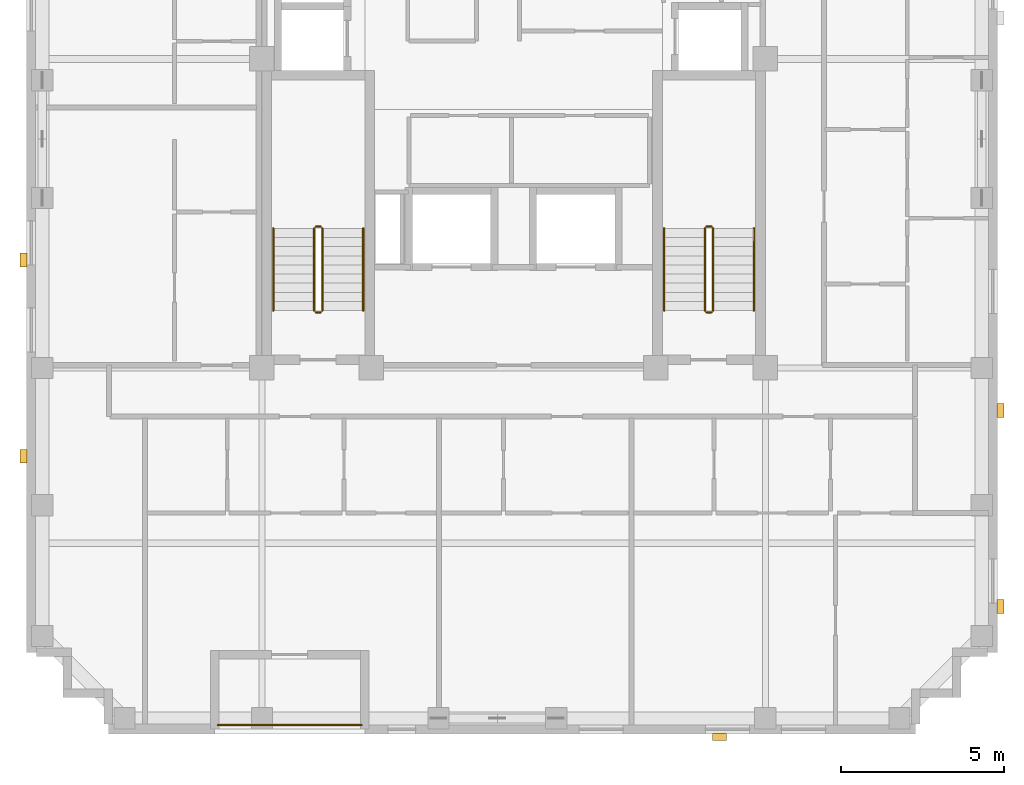
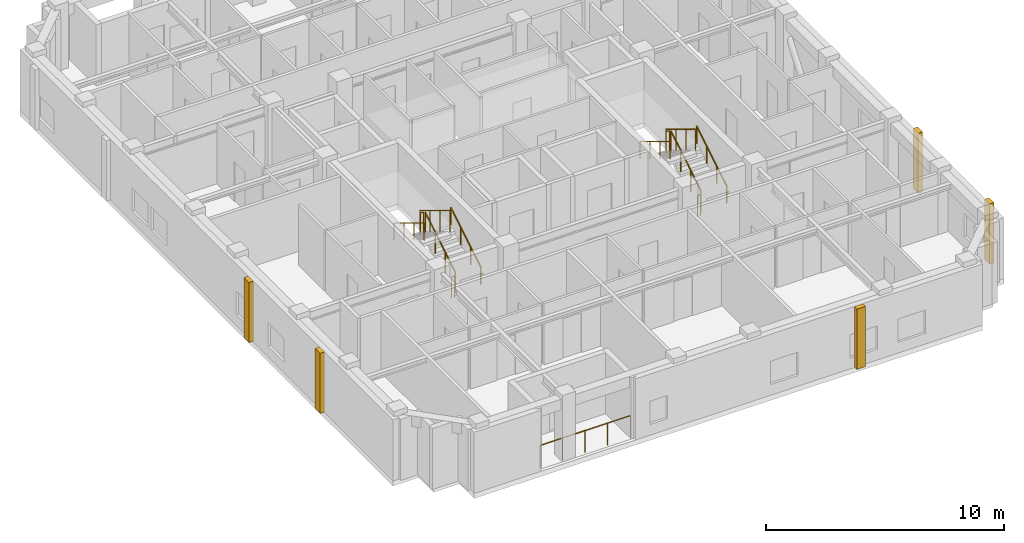
# One storey, part 10 of 11: 13 railings, 5 coverings.
"""IFC4 building model written with IfcOpenShell, lengths in metres."""

from ifc_helpers import new_model, si_unit, derived_unit, direction, frame, origin, origin_2d, place, context, subcontext, project, spatial, rectangle, circle, extrude, material, layer, layer_set, type_object, element, save


model = new_model("IFC4")

# Units and contexts
model_context = context("Model", 3, precision=1e-05, world=origin(), true_north=direction((0.0, 1.0)))
body_context = subcontext(model_context, "Body", "Model", "MODEL_VIEW")
ifc_project = project(units=[si_unit("LENGTHUNIT", "METRE"), si_unit("AREAUNIT", "SQUARE_METRE"), si_unit("VOLUMEUNIT", "CUBIC_METRE"), si_unit("PLANEANGLEUNIT", "RADIAN"), si_unit("MASSUNIT", "GRAM", prefix="KILO"), derived_unit("THERMALTRANSMITTANCEUNIT", [(si_unit("MASSUNIT", "GRAM", prefix="KILO"), 1), (si_unit("TIMEUNIT", "SECOND"), -3), (si_unit("THERMODYNAMICTEMPERATUREUNIT", "KELVIN"), -1)])], contexts=[model_context])

# Site, building, storey
site_placement = place(None, origin())
site = spatial("IfcSite", under=ifc_project, at=site_placement, CompositionType="ELEMENT")
building_placement = place(site_placement, origin())
building = spatial("IfcBuilding", under=site, at=building_placement, Name="Korrvale Station Residences", CompositionType="ELEMENT")
storey_placement = place(building_placement, frame((0.0, 0.0, 251.300048828125)))
storey = spatial("IfcBuildingStorey", under=building, at=storey_placement, Name="L73", CompositionType="ELEMENT", Elevation=251.300048828125)

# Coverings
ifc_material_1 = material(Name="Architectural precast concrete C45/55", Category="concrete")
ifc_layer = layer(ifc_material_1, 0.219970703125, Name="Architectural precast concrete C45/55")
ifc_layer_set = layer_set([ifc_layer], Name="Architectural precast concrete C45/55")
covering_type = type_object("IfcCoveringType", Name="COV-PIER-400", PredefinedType="CLADDING", material=ifc_layer_set)
for number, where, z_axis, x_axis, name in (
    (1, (31.800048828125, 3.7099609375, 0.02490234375), (0.0, 0.0, 1.0), (1.0, 0.0, 0.0), "L73 Architectural Precast Facade Pier 01"),
    (2, (10.510009765625, 12.300048828125, 0.02490234375), (0.0, 0.0, 1.0), (0.0, 1.0, 0.0), "L73 Architectural Precast Facade Pier 02"),
    (3, (10.510009765625, 18.300048828125, 0.02490234375), (0.0, 0.0, 1.0), (0.0, 1.0, 0.0), "L73 Architectural Precast Facade Pier 03"),
    (4, (40.389892578125, 13.699951171875, 0.02490234375), (0.0, 0.0, 1.0), (0.0, 1.0, 0.0), "L73 Architectural Precast Facade Pier 08"),
    (5, (40.389892578125, 7.699951171875, 0.02490234375), (0.0, 0.0, 1.0), (0.0, 1.0, 0.0), "L73 Architectural Precast Facade Pier 09"),
):
    element("IfcCovering", number, at=place(storey_placement, frame(where, z_axis=z_axis, x_axis=x_axis)), inside=storey, type_object=covering_type, Name=name, PredefinedType="CLADDING", context=body_context, shape_type="SweptSolid", body=[
        extrude(rectangle(XDim=0.419921875, YDim=0.219970703125, at=origin_2d()), origin(), (0.0, 0.0, 1.0), 3.090087890625),
    ])

# Railings
ifc_material_2 = material(Name="Powder-coated aluminium picket loggia guard", Category="aluminium")
railing_type_1 = type_object("IfcRailingType", Name="RLG-BAL-1150", PredefinedType="GUARDRAIL", material=ifc_material_2)
railing_1_placement = place(storey_placement, frame((16.449951171875, 4.070068359375, 0.0)))
element("IfcRailing", 6, at=railing_1_placement, inside=storey, type_object=railing_type_1, Name="L73 Recessed Loggia Guardrail BAL-L73-S1", PredefinedType="GUARDRAIL", context=body_context, shape_type="SweptSolid", body=[
    extrude(circle(Radius=0.02392578125, at=origin_2d()), frame((0.0, 0.0, 1.1259765625), z_axis=(1.0, 0.0, 0.0), x_axis=(0.0, 1.0, 0.0)), (0.0, 0.0, 1.0), 4.400146484375),
    extrude(circle(Radius=0.02099609375, at=origin_2d()), origin(), (0.0, 0.0, 1.0), 1.101806640625),
    extrude(circle(Radius=0.02099609375, at=origin_2d()), frame((1.10009765625, 0.0, 0.0)), (0.0, 0.0, 1.0), 1.101806640625),
    extrude(circle(Radius=0.02099609375, at=origin_2d()), frame((2.2001953125, 0.0, 0.0)), (0.0, 0.0, 1.0), 1.101806640625),
    extrude(circle(Radius=0.02099609375, at=origin_2d()), frame((3.300048828125, 0.0, 0.0)), (0.0, 0.0, 1.0), 1.101806640625),
    extrude(circle(Radius=0.02099609375, at=origin_2d()), frame((4.400146484375, 0.0, 0.0)), (0.0, 0.0, 1.0), 1.101806640625),
])
ifc_material_3 = material(Name="Brushed stainless-steel continuous stair handrail", Category="steel")
railing_type_2 = type_object("IfcRailingType", Name="RLG-SHND-900", PredefinedType="HANDRAIL", material=ifc_material_3)
railing_2_placement = place(storey_placement, frame((20.89990234375, 16.75, 0.169921875)))
element("IfcRailing", 7, at=railing_2_placement, inside=storey, type_object=railing_type_2, Name="L73 ST-1 stair handrail 1", PredefinedType="HANDRAIL", context=body_context, shape_type="SweptSolid", body=[
    extrude(circle(Radius=0.02392578125, at=origin_2d()), frame((0.0, 0.0, 0.8759765625), z_axis=(0.0, 0.85478489116, 0.518982456201), x_axis=(-1.0, 0.0, 0.0)), (0.0, 0.0, 1.0), 2.9482421875),
    extrude(circle(Radius=0.02099609375, at=origin_2d()), origin(), (0.0, 0.0, 1.0), 0.851806640625),
    extrude(circle(Radius=0.02099609375, at=origin_2d()), frame((0.0, 0.840087890625, 0.510009765625)), (0.0, 0.0, 1.0), 0.851806640625),
    extrude(circle(Radius=0.02099609375, at=origin_2d()), frame((0.0, 1.679931640625, 1.02001953125)), (0.0, 0.0, 1.0), 0.851806640625),
    extrude(circle(Radius=0.02099609375, at=origin_2d()), frame((0.0, 2.52001953125, 1.530029296875)), (0.0, 0.0, 1.0), 0.851806640625),
])
railing_3_placement = place(storey_placement, frame((18.14990234375, 19.27001953125, 1.869873046875)))
element("IfcRailing", 8, at=railing_3_placement, inside=storey, type_object=railing_type_2, Name="L73 ST-1 stair handrail 2", PredefinedType="HANDRAIL", context=body_context, shape_type="SweptSolid", body=[
    extrude(circle(Radius=0.02392578125, at=origin_2d()), frame((0.0, 0.0, 0.8759765625), z_axis=(0.0, -0.85478489116, 0.518982456201), x_axis=(1.0, 0.0, 0.0)), (0.0, 0.0, 1.0), 2.9482421875),
    extrude(circle(Radius=0.02099609375, at=origin_2d()), origin(), (0.0, 0.0, 1.0), 0.851806640625),
    extrude(circle(Radius=0.02099609375, at=origin_2d()), frame((0.0, -0.840087890625, 0.510009765625)), (0.0, 0.0, 1.0), 0.851806640625),
    extrude(circle(Radius=0.02099609375, at=origin_2d()), frame((0.0, -1.679931640625, 1.02001953125)), (0.0, 0.0, 1.0), 0.851806640625),
    extrude(circle(Radius=0.02099609375, at=origin_2d()), frame((0.0, -2.52001953125, 1.530029296875)), (0.0, 0.0, 1.0), 0.851806640625),
])
railing_4_placement = place(storey_placement, frame((32.85009765625, 16.75, 0.169921875)))
element("IfcRailing", 9, at=railing_4_placement, inside=storey, type_object=railing_type_2, Name="L73 ST-2 stair handrail 1", PredefinedType="HANDRAIL", context=body_context, shape_type="SweptSolid", body=[
    extrude(circle(Radius=0.02392578125, at=origin_2d()), frame((0.0, 0.0, 0.8759765625), z_axis=(0.0, 0.85478489116, 0.518982456201), x_axis=(-1.0, 0.0, 0.0)), (0.0, 0.0, 1.0), 2.9482421875),
    extrude(circle(Radius=0.02099609375, at=origin_2d()), origin(), (0.0, 0.0, 1.0), 0.851806640625),
    extrude(circle(Radius=0.02099609375, at=origin_2d()), frame((0.0, 0.840087890625, 0.510009765625)), (0.0, 0.0, 1.0), 0.851806640625),
    extrude(circle(Radius=0.02099609375, at=origin_2d()), frame((0.0, 1.679931640625, 1.02001953125)), (0.0, 0.0, 1.0), 0.851806640625),
    extrude(circle(Radius=0.02099609375, at=origin_2d()), frame((0.0, 2.52001953125, 1.530029296875)), (0.0, 0.0, 1.0), 0.851806640625),
])
railing_5_placement = place(storey_placement, frame((30.10009765625, 19.27001953125, 1.869873046875)))
element("IfcRailing", 10, at=railing_5_placement, inside=storey, type_object=railing_type_2, Name="L73 ST-2 stair handrail 2", PredefinedType="HANDRAIL", context=body_context, shape_type="SweptSolid", body=[
    extrude(circle(Radius=0.02392578125, at=origin_2d()), frame((0.0, 0.0, 0.8759765625), z_axis=(0.0, -0.85478489116, 0.518982456201), x_axis=(1.0, 0.0, 0.0)), (0.0, 0.0, 1.0), 2.9482421875),
    extrude(circle(Radius=0.02099609375, at=origin_2d()), origin(), (0.0, 0.0, 1.0), 0.851806640625),
    extrude(circle(Radius=0.02099609375, at=origin_2d()), frame((0.0, -0.840087890625, 0.510009765625)), (0.0, 0.0, 1.0), 0.851806640625),
    extrude(circle(Radius=0.02099609375, at=origin_2d()), frame((0.0, -1.679931640625, 1.02001953125)), (0.0, 0.0, 1.0), 0.851806640625),
    extrude(circle(Radius=0.02099609375, at=origin_2d()), frame((0.0, -2.52001953125, 1.530029296875)), (0.0, 0.0, 1.0), 0.851806640625),
])
ifc_material_4 = material(Name="Galvanised painted tubular steel stair guard", Category="steel")
railing_type_3 = type_object("IfcRailingType", Name="RLG-STR-1100", PredefinedType="GUARDRAIL", material=ifc_material_4)
railing_6_placement = place(storey_placement, frame((19.64990234375, 16.75, 0.169921875)))
element("IfcRailing", 11, at=railing_6_placement, inside=storey, type_object=railing_type_3, Name="L73 ST-1 stair guard 1", PredefinedType="GUARDRAIL", context=body_context, shape_type="SweptSolid", body=[
    extrude(circle(Radius=0.02392578125, at=origin_2d()), frame((0.0, 0.0, 1.076171875), z_axis=(0.0, 0.85478489116, 0.518982456201), x_axis=(-1.0, 0.0, 0.0)), (0.0, 0.0, 1.0), 2.9482421875),
    extrude(circle(Radius=0.02099609375, at=origin_2d()), origin(), (0.0, 0.0, 1.0), 1.052001953125),
    extrude(circle(Radius=0.02099609375, at=origin_2d()), frame((0.0, 0.840087890625, 0.510009765625)), (0.0, 0.0, 1.0), 1.052001953125),
    extrude(circle(Radius=0.02099609375, at=origin_2d()), frame((0.0, 1.679931640625, 1.02001953125)), (0.0, 0.0, 1.0), 1.052001953125),
    extrude(circle(Radius=0.02099609375, at=origin_2d()), frame((0.0, 2.52001953125, 1.530029296875)), (0.0, 0.0, 1.0), 1.052001953125),
])
railing_7_placement = place(storey_placement, frame((19.60009765625, 19.320068359375, 1.699951171875)))
element("IfcRailing", 12, at=railing_7_placement, inside=storey, type_object=railing_type_3, Name="L73 ST-1 stair guard 2", PredefinedType="GUARDRAIL", context=body_context, shape_type="SweptSolid", body=[
    extrude(circle(Radius=0.02392578125, at=origin_2d()), frame((0.0, 0.0, 1.076171875), z_axis=(-1.0, 0.0, 0.0), x_axis=(0.0, -1.0, 0.0)), (0.0, 0.0, 1.0), 0.150146484375),
    extrude(circle(Radius=0.02099609375, at=origin_2d()), origin(), (0.0, 0.0, 1.0), 1.052001953125),
    extrude(circle(Radius=0.02099609375, at=origin_2d()), frame((-0.150146484375, 0.0, 0.0)), (0.0, 0.0, 1.0), 1.052001953125),
])
railing_8_placement = place(storey_placement, frame((19.39990234375, 19.27001953125, 1.869873046875)))
element("IfcRailing", 13, at=railing_8_placement, inside=storey, type_object=railing_type_3, Name="L73 ST-1 stair guard 3", PredefinedType="GUARDRAIL", context=body_context, shape_type="SweptSolid", body=[
    extrude(circle(Radius=0.02392578125, at=origin_2d()), frame((0.0, 0.0, 1.076171875), z_axis=(0.0, -0.85478489116, 0.518982456201), x_axis=(1.0, 0.0, 0.0)), (0.0, 0.0, 1.0), 2.9482421875),
    extrude(circle(Radius=0.02099609375, at=origin_2d()), origin(), (0.0, 0.0, 1.0), 1.052001953125),
    extrude(circle(Radius=0.02099609375, at=origin_2d()), frame((0.0, -0.840087890625, 0.510009765625)), (0.0, 0.0, 1.0), 1.052001953125),
    extrude(circle(Radius=0.02099609375, at=origin_2d()), frame((0.0, -1.679931640625, 1.02001953125)), (0.0, 0.0, 1.0), 1.052001953125),
    extrude(circle(Radius=0.02099609375, at=origin_2d()), frame((0.0, -2.52001953125, 1.530029296875)), (0.0, 0.0, 1.0), 1.052001953125),
])
railing_9_placement = place(storey_placement, frame((19.60009765625, 16.699951171875, 0.0)))
element("IfcRailing", 14, at=railing_9_placement, inside=storey, type_object=railing_type_3, Name="L73 ST-1 stair guard 4", PredefinedType="GUARDRAIL", context=body_context, shape_type="SweptSolid", body=[
    extrude(circle(Radius=0.02392578125, at=origin_2d()), frame((0.0, 0.0, 1.076171875), z_axis=(-1.0, 0.0, 0.0), x_axis=(0.0, -1.0, 0.0)), (0.0, 0.0, 1.0), 0.150146484375),
    extrude(circle(Radius=0.02099609375, at=origin_2d()), origin(), (0.0, 0.0, 1.0), 1.052001953125),
    extrude(circle(Radius=0.02099609375, at=origin_2d()), frame((-0.150146484375, 0.0, 0.0)), (0.0, 0.0, 1.0), 1.052001953125),
])
railing_10_placement = place(storey_placement, frame((31.60009765625, 16.75, 0.169921875)))
element("IfcRailing", 15, at=railing_10_placement, inside=storey, type_object=railing_type_3, Name="L73 ST-2 stair guard 1", PredefinedType="GUARDRAIL", context=body_context, shape_type="SweptSolid", body=[
    extrude(circle(Radius=0.02392578125, at=origin_2d()), frame((0.0, 0.0, 1.076171875), z_axis=(0.0, 0.85478489116, 0.518982456201), x_axis=(-1.0, 0.0, 0.0)), (0.0, 0.0, 1.0), 2.9482421875),
    extrude(circle(Radius=0.02099609375, at=origin_2d()), origin(), (0.0, 0.0, 1.0), 1.052001953125),
    extrude(circle(Radius=0.02099609375, at=origin_2d()), frame((0.0, 0.840087890625, 0.510009765625)), (0.0, 0.0, 1.0), 1.052001953125),
    extrude(circle(Radius=0.02099609375, at=origin_2d()), frame((0.0, 1.679931640625, 1.02001953125)), (0.0, 0.0, 1.0), 1.052001953125),
    extrude(circle(Radius=0.02099609375, at=origin_2d()), frame((0.0, 2.52001953125, 1.530029296875)), (0.0, 0.0, 1.0), 1.052001953125),
])
railing_11_placement = place(storey_placement, frame((31.550048828125, 19.320068359375, 1.699951171875)))
element("IfcRailing", 16, at=railing_11_placement, inside=storey, type_object=railing_type_3, Name="L73 ST-2 stair guard 2", PredefinedType="GUARDRAIL", context=body_context, shape_type="SweptSolid", body=[
    extrude(circle(Radius=0.02392578125, at=origin_2d()), frame((0.0, 0.0, 1.076171875), z_axis=(-1.0, 0.0, 0.0), x_axis=(0.0, -1.0, 0.0)), (0.0, 0.0, 1.0), 0.150146484375),
    extrude(circle(Radius=0.02099609375, at=origin_2d()), origin(), (0.0, 0.0, 1.0), 1.052001953125),
    extrude(circle(Radius=0.02099609375, at=origin_2d()), frame((-0.150146484375, 0.0, 0.0)), (0.0, 0.0, 1.0), 1.052001953125),
])
railing_12_placement = place(storey_placement, frame((31.35009765625, 19.27001953125, 1.869873046875)))
element("IfcRailing", 17, at=railing_12_placement, inside=storey, type_object=railing_type_3, Name="L73 ST-2 stair guard 3", PredefinedType="GUARDRAIL", context=body_context, shape_type="SweptSolid", body=[
    extrude(circle(Radius=0.02392578125, at=origin_2d()), frame((0.0, 0.0, 1.076171875), z_axis=(0.0, -0.85478489116, 0.518982456201), x_axis=(1.0, 0.0, 0.0)), (0.0, 0.0, 1.0), 2.9482421875),
    extrude(circle(Radius=0.02099609375, at=origin_2d()), origin(), (0.0, 0.0, 1.0), 1.052001953125),
    extrude(circle(Radius=0.02099609375, at=origin_2d()), frame((0.0, -0.840087890625, 0.510009765625)), (0.0, 0.0, 1.0), 1.052001953125),
    extrude(circle(Radius=0.02099609375, at=origin_2d()), frame((0.0, -1.679931640625, 1.02001953125)), (0.0, 0.0, 1.0), 1.052001953125),
    extrude(circle(Radius=0.02099609375, at=origin_2d()), frame((0.0, -2.52001953125, 1.530029296875)), (0.0, 0.0, 1.0), 1.052001953125),
])
railing_13_placement = place(storey_placement, frame((31.550048828125, 16.699951171875, 0.0)))
element("IfcRailing", 18, at=railing_13_placement, inside=storey, type_object=railing_type_3, Name="L73 ST-2 stair guard 4", PredefinedType="GUARDRAIL", context=body_context, shape_type="SweptSolid", body=[
    extrude(circle(Radius=0.02392578125, at=origin_2d()), frame((0.0, 0.0, 1.076171875), z_axis=(-1.0, 0.0, 0.0), x_axis=(0.0, -1.0, 0.0)), (0.0, 0.0, 1.0), 0.150146484375),
    extrude(circle(Radius=0.02099609375, at=origin_2d()), origin(), (0.0, 0.0, 1.0), 1.052001953125),
    extrude(circle(Radius=0.02099609375, at=origin_2d()), frame((-0.150146484375, 0.0, 0.0)), (0.0, 0.0, 1.0), 1.052001953125),
])

save(model, "model.ifc")
